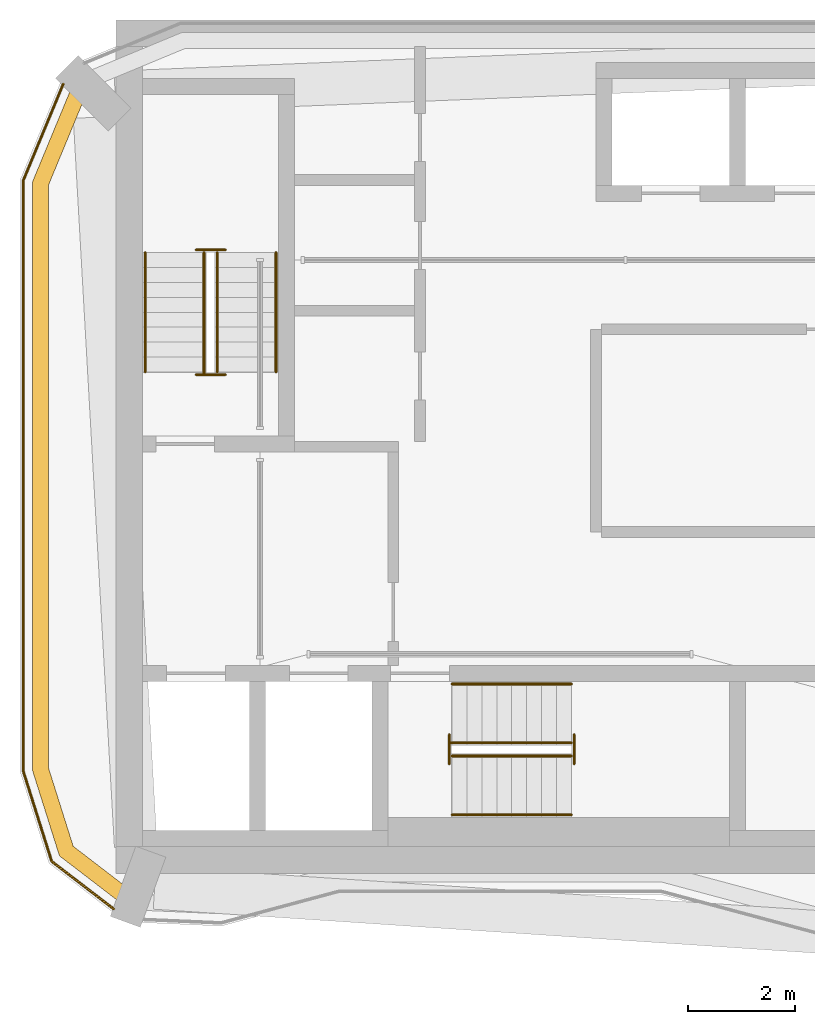
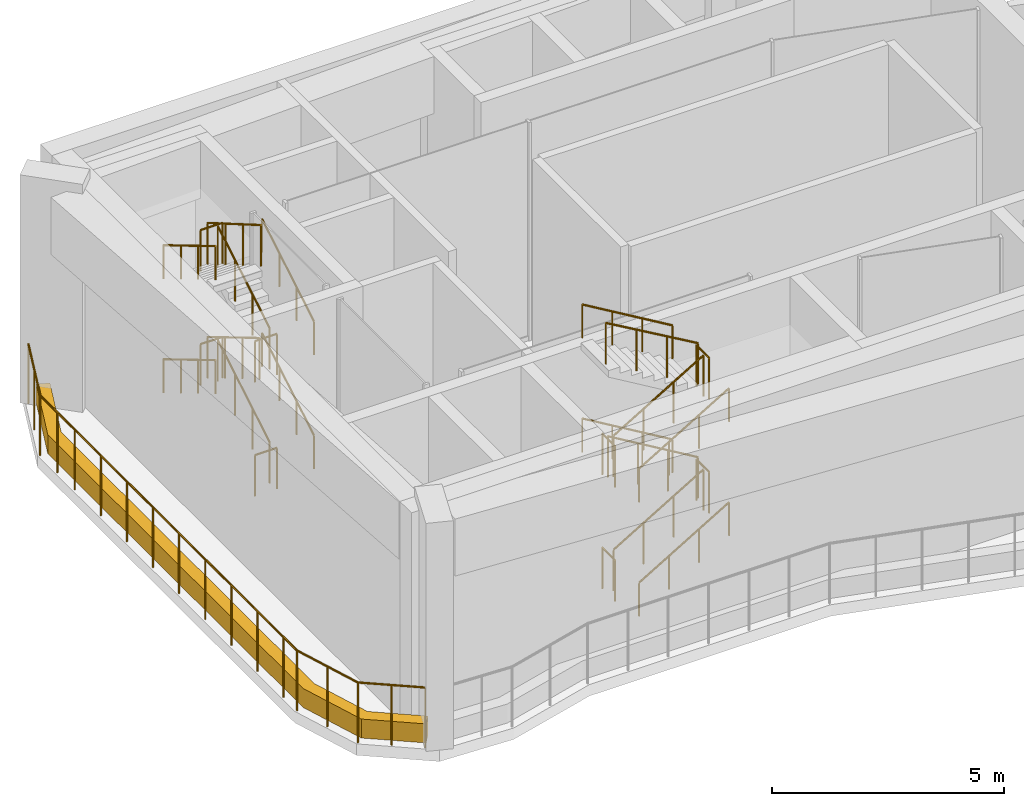
# One storey, part 10 of 12: 25 railings, 1 covering.
"""IFC4 building model written with IfcOpenShell, lengths in metres."""

from ifc_helpers import new_model, si_unit, direction, frame, origin, origin_2d, place, context, subcontext, project, spatial, polyline, circle, outline, extrude, material, type_object, element, save


model = new_model("IFC4")

# Units and contexts
model_context = context("Model", 3, precision=1e-05, world=origin(), true_north=direction((0.0, 1.0)))
body_context = subcontext(model_context, "Body", "Model", "MODEL_VIEW")
ifc_project = project(units=[si_unit("LENGTHUNIT", "METRE"), si_unit("AREAUNIT", "SQUARE_METRE"), si_unit("VOLUMEUNIT", "CUBIC_METRE"), si_unit("PLANEANGLEUNIT", "RADIAN"), si_unit("MASSUNIT", "GRAM", prefix="KILO")], contexts=[model_context])

# Site, building, storey
site_placement = place(None, origin())
site = spatial("IfcSite", under=ifc_project, at=site_placement, CompositionType="ELEMENT")
building_placement = place(site_placement, origin())
building = spatial("IfcBuilding", under=site, at=building_placement, Name="Plateau Cross Towers", CompositionType="ELEMENT")
storey_placement = place(building_placement, frame((0.0, 0.0, 236.39990234375)))
storey = spatial("IfcBuildingStorey", under=building, at=storey_placement, Name="L62", CompositionType="ELEMENT", Elevation=236.39990234375)

# Railings
ifc_material_1 = material(Name="Stainless steel and toughened glass", Category="steel")
railing_type_1 = type_object("IfcRailingType", Name="Glass balustrade guard 1600", PredefinedType="GUARDRAIL", material=ifc_material_1)
railing_1_placement = place(storey_placement, frame((0.809814453125, 16.79833984375, 0.0)))
element("IfcRailing", 1, at=railing_1_placement, inside=storey, type_object=railing_type_1, Name="Guard A9_171", PredefinedType="GUARDRAIL", context=body_context, shape_type="SweptSolid", body=[
    extrude(circle(Radius=0.02392578125, at=origin_2d()), frame((0.0, 0.0, 1.576171875), z_axis=(-0.382641575801, -0.923896868957, 0.0), x_axis=(0.923896868957, -0.382641575801, 0.0)), (0.0, 0.0, 1.0), 1.95947265625),
    extrude(circle(Radius=0.02392578125, at=origin_2d()), frame((-0.749755859375, -1.810302734375, 1.576171875), z_axis=(0.0, -1.0, 0.0), x_axis=(1.0, 0.0, 0.0)), (0.0, 0.0, 1.0), 11.069580078125),
    extrude(circle(Radius=0.02392578125, at=origin_2d()), frame((-0.749755859375, -12.8798828125, 1.576171875), z_axis=(0.300637904714, -0.953738355237, 0.0), x_axis=(0.953738355237, 0.300637904714, 0.0)), (0.0, 0.0, 1.0), 1.776123046875),
    extrude(circle(Radius=0.02392578125, at=origin_2d()), frame((-0.2158203125, -14.57373046875, 1.576171875), z_axis=(0.793378517032, -0.608728616636, 0.0), x_axis=(0.608728616636, 0.793378517032, 0.0)), (0.0, 0.0, 1.0), 1.46630859375),
    extrude(circle(Radius=0.02099609375, at=origin_2d()), origin(), (0.0, 0.0, 1.0), 1.552001953125),
    extrude(circle(Radius=0.02099609375, at=origin_2d()), frame((-0.375, -0.9052734375, 0.0)), (0.0, 0.0, 1.0), 1.552001953125),
    extrude(circle(Radius=0.02099609375, at=origin_2d()), frame((-0.749755859375, -1.810302734375, 0.0)), (0.0, 0.0, 1.0), 1.552001953125),
    extrude(circle(Radius=0.02099609375, at=origin_2d()), frame((-0.749755859375, -2.55419921875, 0.0)), (0.0, 0.0, 1.0), 1.552001953125),
    extrude(circle(Radius=0.02099609375, at=origin_2d()), frame((-0.749755859375, -3.29833984375, 0.0)), (0.0, 0.0, 1.0), 1.552001953125),
    extrude(circle(Radius=0.02099609375, at=origin_2d()), frame((-0.749755859375, -4.42333984375, 0.0)), (0.0, 0.0, 1.0), 1.552001953125),
    extrude(circle(Radius=0.02099609375, at=origin_2d()), frame((-0.749755859375, -5.54833984375, 0.0)), (0.0, 0.0, 1.0), 1.552001953125),
    extrude(circle(Radius=0.02099609375, at=origin_2d()), frame((-0.749755859375, -6.67333984375, 0.0)), (0.0, 0.0, 1.0), 1.552001953125),
    extrude(circle(Radius=0.02099609375, at=origin_2d()), frame((-0.749755859375, -7.79833984375, 0.0)), (0.0, 0.0, 1.0), 1.552001953125),
    extrude(circle(Radius=0.02099609375, at=origin_2d()), frame((-0.749755859375, -8.92333984375, 0.0)), (0.0, 0.0, 1.0), 1.552001953125),
    extrude(circle(Radius=0.02099609375, at=origin_2d()), frame((-0.749755859375, -10.04833984375, 0.0)), (0.0, 0.0, 1.0), 1.552001953125),
    extrude(circle(Radius=0.02099609375, at=origin_2d()), frame((-0.749755859375, -11.17333984375, 0.0)), (0.0, 0.0, 1.0), 1.552001953125),
    extrude(circle(Radius=0.02099609375, at=origin_2d()), frame((-0.749755859375, -12.29833984375, 0.0)), (0.0, 0.0, 1.0), 1.552001953125),
    extrude(circle(Radius=0.02099609375, at=origin_2d()), frame((-0.749755859375, -12.8798828125, 0.0)), (0.0, 0.0, 1.0), 1.552001953125),
    extrude(circle(Radius=0.02099609375, at=origin_2d()), frame((-0.48291015625, -13.726806640625, 0.0)), (0.0, 0.0, 1.0), 1.552001953125),
    extrude(circle(Radius=0.02099609375, at=origin_2d()), frame((-0.2158203125, -14.57373046875, 0.0)), (0.0, 0.0, 1.0), 1.552001953125),
    extrude(circle(Radius=0.02099609375, at=origin_2d()), frame((0.36572265625, -15.02001953125, 0.0)), (0.0, 0.0, 1.0), 1.552001953125),
    extrude(circle(Radius=0.02099609375, at=origin_2d()), frame((0.947509765625, -15.46630859375, 0.0)), (0.0, 0.0, 1.0), 1.552001953125),
])
railing_type_2 = type_object("IfcRailingType", Name="RL-GUARD-1100", PredefinedType="GUARDRAIL", material=ifc_material_1)
railing_2_placement = place(storey_placement, frame((3.699951171875, 11.39990234375, 0.166748046875)))
element("IfcRailing", 2, at=railing_2_placement, inside=storey, type_object=railing_type_2, Name="L62 ST-1 stair guard 1", PredefinedType="GUARDRAIL", context=body_context, shape_type="SweptSolid", body=[
    extrude(circle(Radius=0.02392578125, at=origin_2d()), frame((0.0, 0.0, 1.076171875), z_axis=(0.0, 0.859305625298, 0.511462454469), x_axis=(-1.0, 0.0, 0.0)), (0.0, 0.0, 1.0), 2.606689453125),
    extrude(circle(Radius=0.02099609375, at=origin_2d()), origin(), (0.0, 0.0, 1.0), 1.052001953125),
    extrude(circle(Radius=0.02099609375, at=origin_2d()), frame((0.0, 0.74658203125, 0.4443359375)), (0.0, 0.0, 1.0), 1.052001953125),
    extrude(circle(Radius=0.02099609375, at=origin_2d()), frame((0.0, 1.493408203125, 0.888916015625)), (0.0, 0.0, 1.0), 1.052001953125),
    extrude(circle(Radius=0.02099609375, at=origin_2d()), frame((0.0, 2.239990234375, 1.333251953125)), (0.0, 0.0, 1.0), 1.052001953125),
])
railing_3_placement = place(storey_placement, frame((3.85009765625, 13.68994140625, 1.5)))
element("IfcRailing", 3, at=railing_3_placement, inside=storey, type_object=railing_type_2, Name="L62 ST-1 stair guard 2", PredefinedType="GUARDRAIL", context=body_context, shape_type="SweptSolid", body=[
    extrude(circle(Radius=0.02392578125, at=origin_2d()), frame((0.0, 0.0, 1.076171875), z_axis=(-1.0, 0.0, 0.0), x_axis=(0.0, -1.0, 0.0)), (0.0, 0.0, 1.0), 0.550048828125),
    extrude(circle(Radius=0.02099609375, at=origin_2d()), origin(), (0.0, 0.0, 1.0), 1.052001953125),
    extrude(circle(Radius=0.02099609375, at=origin_2d()), frame((-0.550048828125, 0.0, 0.0)), (0.0, 0.0, 1.0), 1.052001953125),
])
railing_4_placement = place(storey_placement, frame((3.449951171875, 13.639892578125, 1.666748046875)))
element("IfcRailing", 4, at=railing_4_placement, inside=storey, type_object=railing_type_2, Name="L62 ST-1 stair guard 3", PredefinedType="GUARDRAIL", context=body_context, shape_type="SweptSolid", body=[
    extrude(circle(Radius=0.02392578125, at=origin_2d()), frame((0.0, 0.0, 1.076171875), z_axis=(0.0, -0.859305625298, 0.511462454469), x_axis=(1.0, 0.0, 0.0)), (0.0, 0.0, 1.0), 2.606689453125),
    extrude(circle(Radius=0.02099609375, at=origin_2d()), origin(), (0.0, 0.0, 1.0), 1.052001953125),
    extrude(circle(Radius=0.02099609375, at=origin_2d()), frame((0.0, -0.74658203125, 0.4443359375)), (0.0, 0.0, 1.0), 1.052001953125),
    extrude(circle(Radius=0.02099609375, at=origin_2d()), frame((0.0, -1.493408203125, 0.888916015625)), (0.0, 0.0, 1.0), 1.052001953125),
    extrude(circle(Radius=0.02099609375, at=origin_2d()), frame((0.0, -2.239990234375, 1.333251953125)), (0.0, 0.0, 1.0), 1.052001953125),
])
railing_5_placement = place(storey_placement, frame((3.85009765625, 11.35009765625, 3.0)))
element("IfcRailing", 5, at=railing_5_placement, inside=storey, type_object=railing_type_2, Name="L62 ST-1 stair guard 4", PredefinedType="GUARDRAIL", context=body_context, shape_type="SweptSolid", body=[
    extrude(circle(Radius=0.02392578125, at=origin_2d()), frame((0.0, 0.0, 1.076171875), z_axis=(-1.0, 0.0, 0.0), x_axis=(0.0, -1.0, 0.0)), (0.0, 0.0, 1.0), 0.550048828125),
    extrude(circle(Radius=0.02099609375, at=origin_2d()), origin(), (0.0, 0.0, 1.0), 1.052001953125),
    extrude(circle(Radius=0.02099609375, at=origin_2d()), frame((-0.550048828125, 0.0, 0.0)), (0.0, 0.0, 1.0), 1.052001953125),
])
railing_6_placement = place(storey_placement, frame((3.699951171875, 11.39990234375, 3.166748046875)))
element("IfcRailing", 6, at=railing_6_placement, inside=storey, type_object=railing_type_2, Name="L62 ST-1 stair guard 5", PredefinedType="GUARDRAIL", context=body_context, shape_type="SweptSolid", body=[
    extrude(circle(Radius=0.02392578125, at=origin_2d()), frame((0.0, 0.0, 1.076171875), z_axis=(0.0, 0.859305625298, 0.511462454469), x_axis=(-1.0, 0.0, 0.0)), (0.0, 0.0, 1.0), 2.606689453125),
    extrude(circle(Radius=0.02099609375, at=origin_2d()), origin(), (0.0, 0.0, 1.0), 1.052001953125),
    extrude(circle(Radius=0.02099609375, at=origin_2d()), frame((0.0, 0.74658203125, 0.4443359375)), (0.0, 0.0, 1.0), 1.052001953125),
    extrude(circle(Radius=0.02099609375, at=origin_2d()), frame((0.0, 1.493408203125, 0.888916015625)), (0.0, 0.0, 1.0), 1.052001953125),
    extrude(circle(Radius=0.02099609375, at=origin_2d()), frame((0.0, 2.239990234375, 1.333251953125)), (0.0, 0.0, 1.0), 1.052001953125),
])
railing_7_placement = place(storey_placement, frame((3.85009765625, 13.68994140625, 4.5)))
element("IfcRailing", 7, at=railing_7_placement, inside=storey, type_object=railing_type_2, Name="L62 ST-1 stair guard 6", PredefinedType="GUARDRAIL", context=body_context, shape_type="SweptSolid", body=[
    extrude(circle(Radius=0.02392578125, at=origin_2d()), frame((0.0, 0.0, 1.076171875), z_axis=(-1.0, 0.0, 0.0), x_axis=(0.0, -1.0, 0.0)), (0.0, 0.0, 1.0), 0.550048828125),
    extrude(circle(Radius=0.02099609375, at=origin_2d()), origin(), (0.0, 0.0, 1.0), 1.052001953125),
    extrude(circle(Radius=0.02099609375, at=origin_2d()), frame((-0.550048828125, 0.0, 0.0)), (0.0, 0.0, 1.0), 1.052001953125),
])
railing_8_placement = place(storey_placement, frame((3.449951171875, 13.639892578125, 4.666748046875)))
element("IfcRailing", 8, at=railing_8_placement, inside=storey, type_object=railing_type_2, Name="L62 ST-1 stair guard 7", PredefinedType="GUARDRAIL", context=body_context, shape_type="SweptSolid", body=[
    extrude(circle(Radius=0.02392578125, at=origin_2d()), frame((0.0, 0.0, 1.076171875), z_axis=(0.0, -0.864182989347, 0.503177663378), x_axis=(1.0, 0.0, 0.0)), (0.0, 0.0, 1.0), 2.649658203125),
    extrude(circle(Radius=0.02099609375, at=origin_2d()), origin(), (0.0, 0.0, 1.0), 1.052001953125),
    extrude(circle(Radius=0.02099609375, at=origin_2d()), frame((0.0, -0.76318359375, 0.4443359375)), (0.0, 0.0, 1.0), 1.052001953125),
    extrude(circle(Radius=0.02099609375, at=origin_2d()), frame((0.0, -1.526611328125, 0.888916015625)), (0.0, 0.0, 1.0), 1.052001953125),
    extrude(circle(Radius=0.02099609375, at=origin_2d()), frame((0.0, -2.289794921875, 1.333251953125)), (0.0, 0.0, 1.0), 1.052001953125),
])
railing_9_placement = place(storey_placement, frame((3.85009765625, 11.35009765625, 0.0)))
element("IfcRailing", 9, at=railing_9_placement, inside=storey, type_object=railing_type_2, Name="L62 ST-1 stair guard 8", PredefinedType="GUARDRAIL", context=body_context, shape_type="SweptSolid", body=[
    extrude(circle(Radius=0.02392578125, at=origin_2d()), frame((0.0, 0.0, 1.076171875), z_axis=(-1.0, 0.0, 0.0), x_axis=(0.0, -1.0, 0.0)), (0.0, 0.0, 1.0), 0.550048828125),
    extrude(circle(Radius=0.02099609375, at=origin_2d()), origin(), (0.0, 0.0, 1.0), 1.052001953125),
    extrude(circle(Radius=0.02099609375, at=origin_2d()), frame((-0.550048828125, 0.0, 0.0)), (0.0, 0.0, 1.0), 1.052001953125),
])
railing_10_placement = place(storey_placement, frame((8.10009765625, 4.199951171875, 0.166748046875)))
element("IfcRailing", 10, at=railing_10_placement, inside=storey, type_object=railing_type_2, Name="L62 ST-2 stair guard 1", PredefinedType="GUARDRAIL", context=body_context, shape_type="SweptSolid", body=[
    extrude(circle(Radius=0.02392578125, at=origin_2d()), frame((0.0, 0.0, 1.076171875), z_axis=(0.859305625298, 0.0, 0.511462454469), x_axis=(0.0, 1.0, 0.0)), (0.0, 0.0, 1.0), 2.606689453125),
    extrude(circle(Radius=0.02099609375, at=origin_2d()), origin(), (0.0, 0.0, 1.0), 1.052001953125),
    extrude(circle(Radius=0.02099609375, at=origin_2d()), frame((0.74658203125, 0.0, 0.4443359375)), (0.0, 0.0, 1.0), 1.052001953125),
    extrude(circle(Radius=0.02099609375, at=origin_2d()), frame((1.493408203125, 0.0, 0.888916015625)), (0.0, 0.0, 1.0), 1.052001953125),
    extrude(circle(Radius=0.02099609375, at=origin_2d()), frame((2.239990234375, 0.0, 1.333251953125)), (0.0, 0.0, 1.0), 1.052001953125),
])
railing_11_placement = place(storey_placement, frame((10.389892578125, 4.050048828125, 1.5)))
element("IfcRailing", 11, at=railing_11_placement, inside=storey, type_object=railing_type_2, Name="L62 ST-2 stair guard 2", PredefinedType="GUARDRAIL", context=body_context, shape_type="SweptSolid", body=[
    extrude(circle(Radius=0.02392578125, at=origin_2d()), frame((0.0, 0.0, 1.076171875), z_axis=(0.0, 1.0, 0.0), x_axis=(-1.0, 0.0, 0.0)), (0.0, 0.0, 1.0), 0.550048828125),
    extrude(circle(Radius=0.02099609375, at=origin_2d()), origin(), (0.0, 0.0, 1.0), 1.052001953125),
    extrude(circle(Radius=0.02099609375, at=origin_2d()), frame((0.0, 0.550048828125, 0.0)), (0.0, 0.0, 1.0), 1.052001953125),
])
railing_12_placement = place(storey_placement, frame((10.340087890625, 4.449951171875, 1.666748046875)))
element("IfcRailing", 12, at=railing_12_placement, inside=storey, type_object=railing_type_2, Name="L62 ST-2 stair guard 3", PredefinedType="GUARDRAIL", context=body_context, shape_type="SweptSolid", body=[
    extrude(circle(Radius=0.02392578125, at=origin_2d()), frame((0.0, 0.0, 1.076171875), z_axis=(-0.859305625298, 0.0, 0.511462454469), x_axis=(0.0, -1.0, 0.0)), (0.0, 0.0, 1.0), 2.606689453125),
    extrude(circle(Radius=0.02099609375, at=origin_2d()), origin(), (0.0, 0.0, 1.0), 1.052001953125),
    extrude(circle(Radius=0.02099609375, at=origin_2d()), frame((-0.74658203125, 0.0, 0.4443359375)), (0.0, 0.0, 1.0), 1.052001953125),
    extrude(circle(Radius=0.02099609375, at=origin_2d()), frame((-1.493408203125, 0.0, 0.888916015625)), (0.0, 0.0, 1.0), 1.052001953125),
    extrude(circle(Radius=0.02099609375, at=origin_2d()), frame((-2.239990234375, 0.0, 1.333251953125)), (0.0, 0.0, 1.0), 1.052001953125),
])
railing_13_placement = place(storey_placement, frame((8.050048828125, 4.050048828125, 3.0)))
element("IfcRailing", 13, at=railing_13_placement, inside=storey, type_object=railing_type_2, Name="L62 ST-2 stair guard 4", PredefinedType="GUARDRAIL", context=body_context, shape_type="SweptSolid", body=[
    extrude(circle(Radius=0.02392578125, at=origin_2d()), frame((0.0, 0.0, 1.076171875), z_axis=(0.0, 1.0, 0.0), x_axis=(-1.0, 0.0, 0.0)), (0.0, 0.0, 1.0), 0.550048828125),
    extrude(circle(Radius=0.02099609375, at=origin_2d()), origin(), (0.0, 0.0, 1.0), 1.052001953125),
    extrude(circle(Radius=0.02099609375, at=origin_2d()), frame((0.0, 0.550048828125, 0.0)), (0.0, 0.0, 1.0), 1.052001953125),
])
railing_14_placement = place(storey_placement, frame((8.10009765625, 4.199951171875, 3.166748046875)))
element("IfcRailing", 14, at=railing_14_placement, inside=storey, type_object=railing_type_2, Name="L62 ST-2 stair guard 5", PredefinedType="GUARDRAIL", context=body_context, shape_type="SweptSolid", body=[
    extrude(circle(Radius=0.02392578125, at=origin_2d()), frame((0.0, 0.0, 1.076171875), z_axis=(0.859305625298, 0.0, 0.511462454469), x_axis=(0.0, 1.0, 0.0)), (0.0, 0.0, 1.0), 2.606689453125),
    extrude(circle(Radius=0.02099609375, at=origin_2d()), origin(), (0.0, 0.0, 1.0), 1.052001953125),
    extrude(circle(Radius=0.02099609375, at=origin_2d()), frame((0.74658203125, 0.0, 0.4443359375)), (0.0, 0.0, 1.0), 1.052001953125),
    extrude(circle(Radius=0.02099609375, at=origin_2d()), frame((1.493408203125, 0.0, 0.888916015625)), (0.0, 0.0, 1.0), 1.052001953125),
    extrude(circle(Radius=0.02099609375, at=origin_2d()), frame((2.239990234375, 0.0, 1.333251953125)), (0.0, 0.0, 1.0), 1.052001953125),
])
railing_15_placement = place(storey_placement, frame((10.389892578125, 4.050048828125, 4.5)))
element("IfcRailing", 15, at=railing_15_placement, inside=storey, type_object=railing_type_2, Name="L62 ST-2 stair guard 6", PredefinedType="GUARDRAIL", context=body_context, shape_type="SweptSolid", body=[
    extrude(circle(Radius=0.02392578125, at=origin_2d()), frame((0.0, 0.0, 1.076171875), z_axis=(0.0, 1.0, 0.0), x_axis=(-1.0, 0.0, 0.0)), (0.0, 0.0, 1.0), 0.550048828125),
    extrude(circle(Radius=0.02099609375, at=origin_2d()), origin(), (0.0, 0.0, 1.0), 1.052001953125),
    extrude(circle(Radius=0.02099609375, at=origin_2d()), frame((0.0, 0.550048828125, 0.0)), (0.0, 0.0, 1.0), 1.052001953125),
])
railing_16_placement = place(storey_placement, frame((10.340087890625, 4.449951171875, 4.666748046875)))
element("IfcRailing", 16, at=railing_16_placement, inside=storey, type_object=railing_type_2, Name="L62 ST-2 stair guard 7", PredefinedType="GUARDRAIL", context=body_context, shape_type="SweptSolid", body=[
    extrude(circle(Radius=0.02392578125, at=origin_2d()), frame((0.0, 0.0, 1.076171875), z_axis=(-0.864206315334, 0.0, 0.503137600004), x_axis=(0.0, -1.0, 0.0)), (0.0, 0.0, 1.0), 2.64990234375),
    extrude(circle(Radius=0.02099609375, at=origin_2d()), origin(), (0.0, 0.0, 1.0), 1.052001953125),
    extrude(circle(Radius=0.02099609375, at=origin_2d()), frame((-0.763427734375, 0.0, 0.4443359375)), (0.0, 0.0, 1.0), 1.052001953125),
    extrude(circle(Radius=0.02099609375, at=origin_2d()), frame((-1.526611328125, 0.0, 0.888916015625)), (0.0, 0.0, 1.0), 1.052001953125),
    extrude(circle(Radius=0.02099609375, at=origin_2d()), frame((-2.2900390625, 0.0, 1.333251953125)), (0.0, 0.0, 1.0), 1.052001953125),
])
railing_17_placement = place(storey_placement, frame((8.050048828125, 4.050048828125, 0.0)))
element("IfcRailing", 17, at=railing_17_placement, inside=storey, type_object=railing_type_2, Name="L62 ST-2 stair guard 8", PredefinedType="GUARDRAIL", context=body_context, shape_type="SweptSolid", body=[
    extrude(circle(Radius=0.02392578125, at=origin_2d()), frame((0.0, 0.0, 1.076171875), z_axis=(0.0, 1.0, 0.0), x_axis=(-1.0, 0.0, 0.0)), (0.0, 0.0, 1.0), 0.550048828125),
    extrude(circle(Radius=0.02099609375, at=origin_2d()), origin(), (0.0, 0.0, 1.0), 1.052001953125),
    extrude(circle(Radius=0.02099609375, at=origin_2d()), frame((0.0, 0.550048828125, 0.0)), (0.0, 0.0, 1.0), 1.052001953125),
])
ifc_material_2 = material(Name="Black anodised aluminium", Category="aluminium")
railing_type_3 = type_object("IfcRailingType", Name="RL-HANDRAIL-900", PredefinedType="HANDRAIL", material=ifc_material_2)
railing_18_placement = place(storey_placement, frame((4.800048828125, 11.39990234375, 0.166748046875)))
element("IfcRailing", 18, at=railing_18_placement, inside=storey, type_object=railing_type_3, Name="L62 ST-1 stair handrail 1", PredefinedType="HANDRAIL", context=body_context, shape_type="SweptSolid", body=[
    extrude(circle(Radius=0.02392578125, at=origin_2d()), frame((0.0, 0.0, 0.8759765625), z_axis=(0.0, 0.859305625298, 0.511462454469), x_axis=(-1.0, 0.0, 0.0)), (0.0, 0.0, 1.0), 2.606689453125),
    extrude(circle(Radius=0.02099609375, at=origin_2d()), origin(), (0.0, 0.0, 1.0), 0.851806640625),
    extrude(circle(Radius=0.02099609375, at=origin_2d()), frame((0.0, 0.74658203125, 0.4443359375)), (0.0, 0.0, 1.0), 0.851806640625),
    extrude(circle(Radius=0.02099609375, at=origin_2d()), frame((0.0, 1.493408203125, 0.888916015625)), (0.0, 0.0, 1.0), 0.851806640625),
    extrude(circle(Radius=0.02099609375, at=origin_2d()), frame((0.0, 2.239990234375, 1.333251953125)), (0.0, 0.0, 1.0), 0.851806640625),
])
railing_19_placement = place(storey_placement, frame((2.35009765625, 13.639892578125, 1.666748046875)))
element("IfcRailing", 19, at=railing_19_placement, inside=storey, type_object=railing_type_3, Name="L62 ST-1 stair handrail 2", PredefinedType="HANDRAIL", context=body_context, shape_type="SweptSolid", body=[
    extrude(circle(Radius=0.02392578125, at=origin_2d()), frame((0.0, 0.0, 0.8759765625), z_axis=(0.0, -0.859305625298, 0.511462454469), x_axis=(1.0, 0.0, 0.0)), (0.0, 0.0, 1.0), 2.606689453125),
    extrude(circle(Radius=0.02099609375, at=origin_2d()), origin(), (0.0, 0.0, 1.0), 0.851806640625),
    extrude(circle(Radius=0.02099609375, at=origin_2d()), frame((0.0, -0.74658203125, 0.4443359375)), (0.0, 0.0, 1.0), 0.851806640625),
    extrude(circle(Radius=0.02099609375, at=origin_2d()), frame((0.0, -1.493408203125, 0.888916015625)), (0.0, 0.0, 1.0), 0.851806640625),
    extrude(circle(Radius=0.02099609375, at=origin_2d()), frame((0.0, -2.239990234375, 1.333251953125)), (0.0, 0.0, 1.0), 0.851806640625),
])
railing_20_placement = place(storey_placement, frame((4.800048828125, 11.39990234375, 3.166748046875)))
element("IfcRailing", 20, at=railing_20_placement, inside=storey, type_object=railing_type_3, Name="L62 ST-1 stair handrail 3", PredefinedType="HANDRAIL", context=body_context, shape_type="SweptSolid", body=[
    extrude(circle(Radius=0.02392578125, at=origin_2d()), frame((0.0, 0.0, 0.8759765625), z_axis=(0.0, 0.859305625298, 0.511462454469), x_axis=(-1.0, 0.0, 0.0)), (0.0, 0.0, 1.0), 2.606689453125),
    extrude(circle(Radius=0.02099609375, at=origin_2d()), origin(), (0.0, 0.0, 1.0), 0.851806640625),
    extrude(circle(Radius=0.02099609375, at=origin_2d()), frame((0.0, 0.74658203125, 0.4443359375)), (0.0, 0.0, 1.0), 0.851806640625),
    extrude(circle(Radius=0.02099609375, at=origin_2d()), frame((0.0, 1.493408203125, 0.888916015625)), (0.0, 0.0, 1.0), 0.851806640625),
    extrude(circle(Radius=0.02099609375, at=origin_2d()), frame((0.0, 2.239990234375, 1.333251953125)), (0.0, 0.0, 1.0), 0.851806640625),
])
railing_21_placement = place(storey_placement, frame((2.35009765625, 13.639892578125, 4.666748046875)))
element("IfcRailing", 21, at=railing_21_placement, inside=storey, type_object=railing_type_3, Name="L62 ST-1 stair handrail 4", PredefinedType="HANDRAIL", context=body_context, shape_type="SweptSolid", body=[
    extrude(circle(Radius=0.02392578125, at=origin_2d()), frame((0.0, 0.0, 0.8759765625), z_axis=(0.0, -0.859305625298, 0.511462454469), x_axis=(1.0, 0.0, 0.0)), (0.0, 0.0, 1.0), 2.606689453125),
    extrude(circle(Radius=0.02099609375, at=origin_2d()), origin(), (0.0, 0.0, 1.0), 0.851806640625),
    extrude(circle(Radius=0.02099609375, at=origin_2d()), frame((0.0, -0.74658203125, 0.4443359375)), (0.0, 0.0, 1.0), 0.851806640625),
    extrude(circle(Radius=0.02099609375, at=origin_2d()), frame((0.0, -1.493408203125, 0.888916015625)), (0.0, 0.0, 1.0), 0.851806640625),
    extrude(circle(Radius=0.02099609375, at=origin_2d()), frame((0.0, -2.239990234375, 1.333251953125)), (0.0, 0.0, 1.0), 0.851806640625),
])
railing_22_placement = place(storey_placement, frame((8.10009765625, 3.10009765625, 0.166748046875)))
element("IfcRailing", 22, at=railing_22_placement, inside=storey, type_object=railing_type_3, Name="L62 ST-2 stair handrail 1", PredefinedType="HANDRAIL", context=body_context, shape_type="SweptSolid", body=[
    extrude(circle(Radius=0.02392578125, at=origin_2d()), frame((0.0, 0.0, 0.8759765625), z_axis=(0.859305625298, 0.0, 0.511462454469), x_axis=(0.0, 1.0, 0.0)), (0.0, 0.0, 1.0), 2.606689453125),
    extrude(circle(Radius=0.02099609375, at=origin_2d()), origin(), (0.0, 0.0, 1.0), 0.851806640625),
    extrude(circle(Radius=0.02099609375, at=origin_2d()), frame((0.74658203125, 0.0, 0.4443359375)), (0.0, 0.0, 1.0), 0.851806640625),
    extrude(circle(Radius=0.02099609375, at=origin_2d()), frame((1.493408203125, 0.0, 0.888916015625)), (0.0, 0.0, 1.0), 0.851806640625),
    extrude(circle(Radius=0.02099609375, at=origin_2d()), frame((2.239990234375, 0.0, 1.333251953125)), (0.0, 0.0, 1.0), 0.851806640625),
])
railing_23_placement = place(storey_placement, frame((10.340087890625, 5.550048828125, 1.666748046875)))
element("IfcRailing", 23, at=railing_23_placement, inside=storey, type_object=railing_type_3, Name="L62 ST-2 stair handrail 2", PredefinedType="HANDRAIL", context=body_context, shape_type="SweptSolid", body=[
    extrude(circle(Radius=0.02392578125, at=origin_2d()), frame((0.0, 0.0, 0.8759765625), z_axis=(-0.859305625298, 0.0, 0.511462454469), x_axis=(0.0, -1.0, 0.0)), (0.0, 0.0, 1.0), 2.606689453125),
    extrude(circle(Radius=0.02099609375, at=origin_2d()), origin(), (0.0, 0.0, 1.0), 0.851806640625),
    extrude(circle(Radius=0.02099609375, at=origin_2d()), frame((-0.74658203125, 0.0, 0.4443359375)), (0.0, 0.0, 1.0), 0.851806640625),
    extrude(circle(Radius=0.02099609375, at=origin_2d()), frame((-1.493408203125, 0.0, 0.888916015625)), (0.0, 0.0, 1.0), 0.851806640625),
    extrude(circle(Radius=0.02099609375, at=origin_2d()), frame((-2.239990234375, 0.0, 1.333251953125)), (0.0, 0.0, 1.0), 0.851806640625),
])
railing_24_placement = place(storey_placement, frame((8.10009765625, 3.10009765625, 3.166748046875)))
element("IfcRailing", 24, at=railing_24_placement, inside=storey, type_object=railing_type_3, Name="L62 ST-2 stair handrail 3", PredefinedType="HANDRAIL", context=body_context, shape_type="SweptSolid", body=[
    extrude(circle(Radius=0.02392578125, at=origin_2d()), frame((0.0, 0.0, 0.8759765625), z_axis=(0.859305625298, 0.0, 0.511462454469), x_axis=(0.0, 1.0, 0.0)), (0.0, 0.0, 1.0), 2.606689453125),
    extrude(circle(Radius=0.02099609375, at=origin_2d()), origin(), (0.0, 0.0, 1.0), 0.851806640625),
    extrude(circle(Radius=0.02099609375, at=origin_2d()), frame((0.74658203125, 0.0, 0.4443359375)), (0.0, 0.0, 1.0), 0.851806640625),
    extrude(circle(Radius=0.02099609375, at=origin_2d()), frame((1.493408203125, 0.0, 0.888916015625)), (0.0, 0.0, 1.0), 0.851806640625),
    extrude(circle(Radius=0.02099609375, at=origin_2d()), frame((2.239990234375, 0.0, 1.333251953125)), (0.0, 0.0, 1.0), 0.851806640625),
])
railing_25_placement = place(storey_placement, frame((10.340087890625, 5.550048828125, 4.666748046875)))
element("IfcRailing", 25, at=railing_25_placement, inside=storey, type_object=railing_type_3, Name="L62 ST-2 stair handrail 4", PredefinedType="HANDRAIL", context=body_context, shape_type="SweptSolid", body=[
    extrude(circle(Radius=0.02392578125, at=origin_2d()), frame((0.0, 0.0, 0.8759765625), z_axis=(-0.859305625298, 0.0, 0.511462454469), x_axis=(0.0, -1.0, 0.0)), (0.0, 0.0, 1.0), 2.606689453125),
    extrude(circle(Radius=0.02099609375, at=origin_2d()), origin(), (0.0, 0.0, 1.0), 0.851806640625),
    extrude(circle(Radius=0.02099609375, at=origin_2d()), frame((-0.74658203125, 0.0, 0.4443359375)), (0.0, 0.0, 1.0), 0.851806640625),
    extrude(circle(Radius=0.02099609375, at=origin_2d()), frame((-1.493408203125, 0.0, 0.888916015625)), (0.0, 0.0, 1.0), 0.851806640625),
    extrude(circle(Radius=0.02099609375, at=origin_2d()), frame((-2.239990234375, 0.0, 1.333251953125)), (0.0, 0.0, 1.0), 0.851806640625),
])

# Covering
ifc_material_3 = material(Name="Light precast concrete cladding C40/50", Category="concrete")
covering_type = type_object("IfcCoveringType", Name="Sill kerb cladding 300x500", PredefinedType="CLADDING", material=ifc_material_3)
covering_placement = place(storey_placement, origin())
element("IfcCovering", 26, at=covering_placement, inside=storey, type_object=covering_type, Name="Sill kerb 4", PredefinedType="CLADDING", context=body_context, shape_type="SweptSolid", body=[
    extrude(outline(polyline([(0.530029296875, 14.89453125), (0.530029296875, 3.99072265625), (0.997802734375, 2.50732421875), (2.04345703125, 1.704833984375), (1.86083984375, 1.466796875), (0.739990234375, 2.326904296875), (0.22998046875, 3.944580078125), (0.22998046875, 14.954345703125), (0.966796875, 16.733154296875), (1.244140625, 16.618408203125), (0.530029296875, 14.89453125)])), origin(), (0.0, 0.0, 1.0), 0.5),
])

save(model, "model.ifc")
